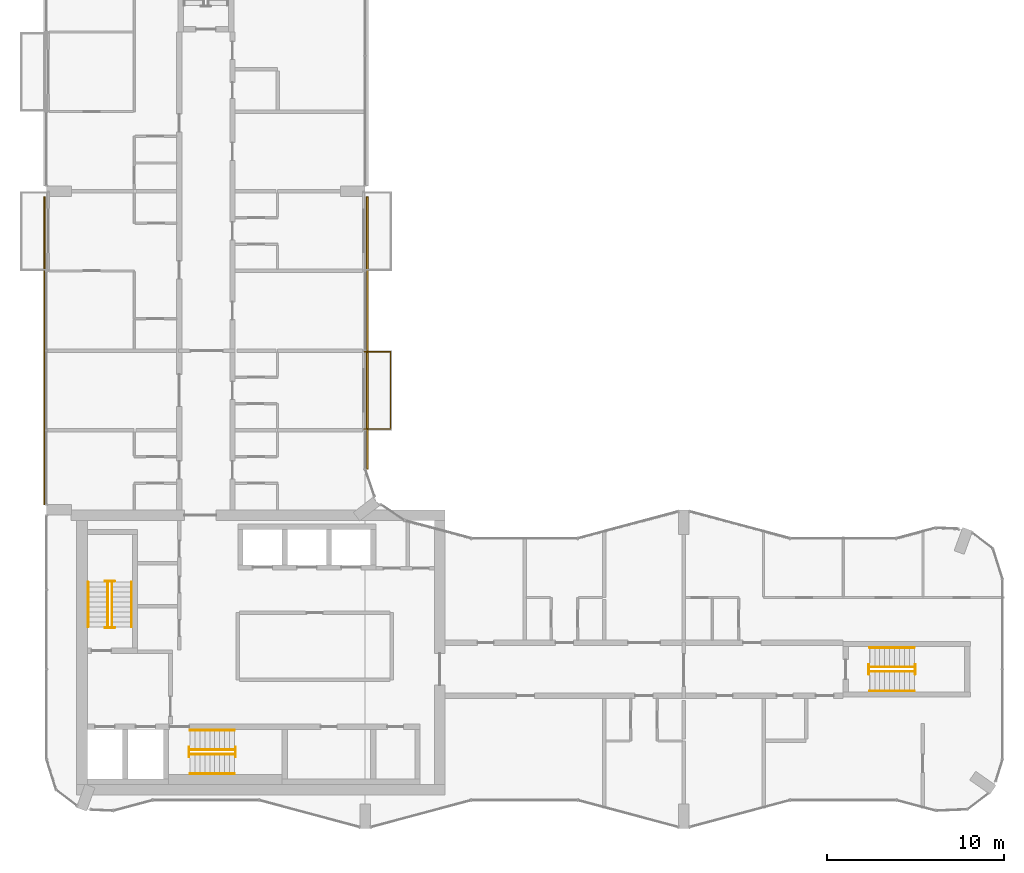
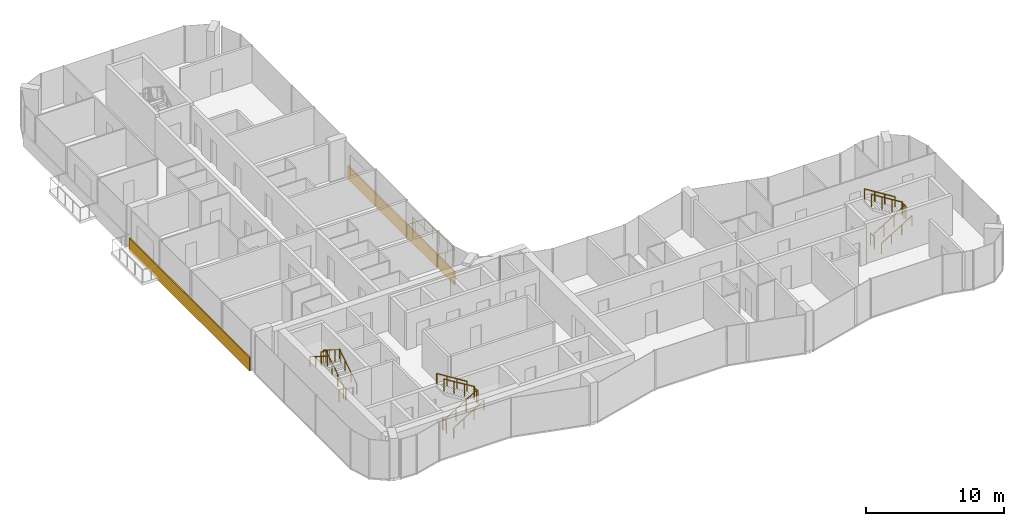
# One storey, part 14 of 15: 19 railings, 2 coverings.
"""IFC4 building model written with IfcOpenShell, lengths in metres."""

from ifc_helpers import new_model, si_unit, direction, frame, origin, origin_2d, place, context, subcontext, project, spatial, rectangle, circle, extrude, material, layer, layer_set, type_object, element, save


model = new_model("IFC4")

# Units and contexts
model_context = context("Model", 3, precision=1e-05, world=origin(), true_north=direction((0.0, 1.0)))
body_context = subcontext(model_context, "Body", "Model", "MODEL_VIEW")
ifc_project = project(units=[si_unit("LENGTHUNIT", "METRE"), si_unit("AREAUNIT", "SQUARE_METRE"), si_unit("VOLUMEUNIT", "CUBIC_METRE"), si_unit("PLANEANGLEUNIT", "RADIAN"), si_unit("MASSUNIT", "GRAM", prefix="KILO")], contexts=[model_context])

# Site, building, storey
site_placement = place(None, origin())
site = spatial("IfcSite", under=ifc_project, at=site_placement, CompositionType="ELEMENT")
building_placement = place(site_placement, origin())
building = spatial("IfcBuilding", under=site, at=building_placement, Name="Plateau Cross Towers", CompositionType="ELEMENT")
storey_placement = place(building_placement, frame((0.0, 0.0, 174.39990234375)))
storey = spatial("IfcBuildingStorey", under=building, at=storey_placement, Name="L45", CompositionType="ELEMENT", Elevation=174.39990234375)

# Railings
ifc_material_1 = material(Name="Stainless steel and toughened glass", Category="steel")
railing_type_1 = type_object("IfcRailingType", Name="Glass balustrade guard 1100", PredefinedType="GUARDRAIL", material=ifc_material_1)
railing_1_placement = place(storey_placement, frame((17.949951171875, 26.929931640625, 0.0)))
element("IfcRailing", 1, at=railing_1_placement, inside=storey, type_object=railing_type_1, Name="Guard guard1", PredefinedType="GUARDRAIL", context=body_context, shape_type="SweptSolid", body=[
    extrude(circle(Radius=0.02392578125, at=origin_2d()), frame((0.0, 0.0, 1.076171875), z_axis=(1.0, 0.0, 0.0), x_axis=(0.0, 1.0, 0.0)), (0.0, 0.0, 1.0), 1.47998046875),
    extrude(circle(Radius=0.02392578125, at=origin_2d()), frame((1.47998046875, 0.0, 1.076171875), z_axis=(0.0, -1.0, 0.0), x_axis=(1.0, 0.0, 0.0)), (0.0, 0.0, 1.0), 4.35986328125),
    extrude(circle(Radius=0.02392578125, at=origin_2d()), frame((1.47998046875, -4.35986328125, 1.076171875), z_axis=(-1.0, 0.0, 0.0), x_axis=(0.0, -1.0, 0.0)), (0.0, 0.0, 1.0), 1.47998046875),
    extrude(circle(Radius=0.02099609375, at=origin_2d()), origin(), (0.0, 0.0, 1.0), 1.052001953125),
    extrude(circle(Radius=0.02099609375, at=origin_2d()), frame((0.739990234375, 0.0, 0.0)), (0.0, 0.0, 1.0), 1.052001953125),
    extrude(circle(Radius=0.02099609375, at=origin_2d()), frame((1.47998046875, 0.0, 0.0)), (0.0, 0.0, 1.0), 1.052001953125),
    extrude(circle(Radius=0.02099609375, at=origin_2d()), frame((1.47998046875, -1.08984375, 0.0)), (0.0, 0.0, 1.0), 1.052001953125),
    extrude(circle(Radius=0.02099609375, at=origin_2d()), frame((1.47998046875, -2.179931640625, 0.0)), (0.0, 0.0, 1.0), 1.052001953125),
    extrude(circle(Radius=0.02099609375, at=origin_2d()), frame((1.47998046875, -3.27001953125, 0.0)), (0.0, 0.0, 1.0), 1.052001953125),
    extrude(circle(Radius=0.02099609375, at=origin_2d()), frame((1.47998046875, -4.35986328125, 0.0)), (0.0, 0.0, 1.0), 1.052001953125),
    extrude(circle(Radius=0.02099609375, at=origin_2d()), frame((0.739990234375, -4.35986328125, 0.0)), (0.0, 0.0, 1.0), 1.052001953125),
    extrude(circle(Radius=0.02099609375, at=origin_2d()), frame((0.0, -4.35986328125, 0.0)), (0.0, 0.0, 1.0), 1.052001953125),
])
railing_type_2 = type_object("IfcRailingType", Name="RL-GUARD-1100", PredefinedType="GUARDRAIL", material=ifc_material_1)
railing_2_placement = place(storey_placement, frame((3.699951171875, 11.39990234375, 0.175048828125)))
element("IfcRailing", 2, at=railing_2_placement, inside=storey, type_object=railing_type_2, Name="L45 ST-1 stair guard 1", PredefinedType="GUARDRAIL", context=body_context, shape_type="SweptSolid", body=[
    extrude(circle(Radius=0.02392578125, at=origin_2d()), frame((0.0, 0.0, 1.076171875), z_axis=(0.0, 0.848007534815, 0.529984170421), x_axis=(-1.0, 0.0, 0.0)), (0.0, 0.0, 1.0), 2.9716796875),
    extrude(circle(Radius=0.02099609375, at=origin_2d()), origin(), (0.0, 0.0, 1.0), 1.052001953125),
    extrude(circle(Radius=0.02099609375, at=origin_2d()), frame((0.0, 0.840087890625, 0.52490234375)), (0.0, 0.0, 1.0), 1.052001953125),
    extrude(circle(Radius=0.02099609375, at=origin_2d()), frame((0.0, 1.679931640625, 1.050048828125)), (0.0, 0.0, 1.0), 1.052001953125),
    extrude(circle(Radius=0.02099609375, at=origin_2d()), frame((0.0, 2.52001953125, 1.574951171875)), (0.0, 0.0, 1.0), 1.052001953125),
])
railing_3_placement = place(storey_placement, frame((3.85009765625, 13.969970703125, 1.75)))
element("IfcRailing", 3, at=railing_3_placement, inside=storey, type_object=railing_type_2, Name="L45 ST-1 stair guard 2", PredefinedType="GUARDRAIL", context=body_context, shape_type="SweptSolid", body=[
    extrude(circle(Radius=0.02392578125, at=origin_2d()), frame((0.0, 0.0, 1.076171875), z_axis=(-1.0, 0.0, 0.0), x_axis=(0.0, -1.0, 0.0)), (0.0, 0.0, 1.0), 0.550048828125),
    extrude(circle(Radius=0.02099609375, at=origin_2d()), origin(), (0.0, 0.0, 1.0), 1.052001953125),
    extrude(circle(Radius=0.02099609375, at=origin_2d()), frame((-0.550048828125, 0.0, 0.0)), (0.0, 0.0, 1.0), 1.052001953125),
])
railing_4_placement = place(storey_placement, frame((3.449951171875, 13.919921875, 1.925048828125)))
element("IfcRailing", 4, at=railing_4_placement, inside=storey, type_object=railing_type_2, Name="L45 ST-1 stair guard 3", PredefinedType="GUARDRAIL", context=body_context, shape_type="SweptSolid", body=[
    extrude(circle(Radius=0.02392578125, at=origin_2d()), frame((0.0, 0.0, 1.076171875), z_axis=(0.0, -0.852616386126, 0.522537365276), x_axis=(1.0, 0.0, 0.0)), (0.0, 0.0, 1.0), 3.01416015625),
    extrude(circle(Radius=0.02099609375, at=origin_2d()), origin(), (0.0, 0.0, 1.0), 1.052001953125),
    extrude(circle(Radius=0.02099609375, at=origin_2d()), frame((0.0, -0.856689453125, 0.52490234375)), (0.0, 0.0, 1.0), 1.052001953125),
    extrude(circle(Radius=0.02099609375, at=origin_2d()), frame((0.0, -1.713134765625, 1.050048828125)), (0.0, 0.0, 1.0), 1.052001953125),
    extrude(circle(Radius=0.02099609375, at=origin_2d()), frame((0.0, -2.56982421875, 1.574951171875)), (0.0, 0.0, 1.0), 1.052001953125),
])
railing_5_placement = place(storey_placement, frame((3.85009765625, 11.35009765625, 0.0)))
element("IfcRailing", 5, at=railing_5_placement, inside=storey, type_object=railing_type_2, Name="L45 ST-1 stair guard 4", PredefinedType="GUARDRAIL", context=body_context, shape_type="SweptSolid", body=[
    extrude(circle(Radius=0.02392578125, at=origin_2d()), frame((0.0, 0.0, 1.076171875), z_axis=(-1.0, 0.0, 0.0), x_axis=(0.0, -1.0, 0.0)), (0.0, 0.0, 1.0), 0.550048828125),
    extrude(circle(Radius=0.02099609375, at=origin_2d()), origin(), (0.0, 0.0, 1.0), 1.052001953125),
    extrude(circle(Radius=0.02099609375, at=origin_2d()), frame((-0.550048828125, 0.0, 0.0)), (0.0, 0.0, 1.0), 1.052001953125),
])
railing_6_placement = place(storey_placement, frame((8.10009765625, 4.199951171875, 0.175048828125)))
element("IfcRailing", 6, at=railing_6_placement, inside=storey, type_object=railing_type_2, Name="L45 ST-2 stair guard 1", PredefinedType="GUARDRAIL", context=body_context, shape_type="SweptSolid", body=[
    extrude(circle(Radius=0.02392578125, at=origin_2d()), frame((0.0, 0.0, 1.076171875), z_axis=(0.848007534815, 0.0, 0.529984170421), x_axis=(0.0, 1.0, 0.0)), (0.0, 0.0, 1.0), 2.9716796875),
    extrude(circle(Radius=0.02099609375, at=origin_2d()), origin(), (0.0, 0.0, 1.0), 1.052001953125),
    extrude(circle(Radius=0.02099609375, at=origin_2d()), frame((0.840087890625, 0.0, 0.52490234375)), (0.0, 0.0, 1.0), 1.052001953125),
    extrude(circle(Radius=0.02099609375, at=origin_2d()), frame((1.679931640625, 0.0, 1.050048828125)), (0.0, 0.0, 1.0), 1.052001953125),
    extrude(circle(Radius=0.02099609375, at=origin_2d()), frame((2.52001953125, 0.0, 1.574951171875)), (0.0, 0.0, 1.0), 1.052001953125),
])
railing_7_placement = place(storey_placement, frame((10.669921875, 4.050048828125, 1.75)))
element("IfcRailing", 7, at=railing_7_placement, inside=storey, type_object=railing_type_2, Name="L45 ST-2 stair guard 2", PredefinedType="GUARDRAIL", context=body_context, shape_type="SweptSolid", body=[
    extrude(circle(Radius=0.02392578125, at=origin_2d()), frame((0.0, 0.0, 1.076171875), z_axis=(0.0, 1.0, 0.0), x_axis=(-1.0, 0.0, 0.0)), (0.0, 0.0, 1.0), 0.550048828125),
    extrude(circle(Radius=0.02099609375, at=origin_2d()), origin(), (0.0, 0.0, 1.0), 1.052001953125),
    extrude(circle(Radius=0.02099609375, at=origin_2d()), frame((0.0, 0.550048828125, 0.0)), (0.0, 0.0, 1.0), 1.052001953125),
])
railing_8_placement = place(storey_placement, frame((10.6201171875, 4.449951171875, 1.925048828125)))
element("IfcRailing", 8, at=railing_8_placement, inside=storey, type_object=railing_type_2, Name="L45 ST-2 stair guard 3", PredefinedType="GUARDRAIL", context=body_context, shape_type="SweptSolid", body=[
    extrude(circle(Radius=0.02392578125, at=origin_2d()), frame((0.0, 0.0, 1.076171875), z_axis=(-0.852638500773, 0.0, 0.522501279423), x_axis=(0.0, -1.0, 0.0)), (0.0, 0.0, 1.0), 3.01416015625),
    extrude(circle(Radius=0.02099609375, at=origin_2d()), origin(), (0.0, 0.0, 1.0), 1.052001953125),
    extrude(circle(Radius=0.02099609375, at=origin_2d()), frame((-0.856689453125, 0.0, 0.52490234375)), (0.0, 0.0, 1.0), 1.052001953125),
    extrude(circle(Radius=0.02099609375, at=origin_2d()), frame((-1.71337890625, 0.0, 1.050048828125)), (0.0, 0.0, 1.0), 1.052001953125),
    extrude(circle(Radius=0.02099609375, at=origin_2d()), frame((-2.570068359375, 0.0, 1.574951171875)), (0.0, 0.0, 1.0), 1.052001953125),
])
railing_9_placement = place(storey_placement, frame((8.050048828125, 4.050048828125, 0.0)))
element("IfcRailing", 9, at=railing_9_placement, inside=storey, type_object=railing_type_2, Name="L45 ST-2 stair guard 4", PredefinedType="GUARDRAIL", context=body_context, shape_type="SweptSolid", body=[
    extrude(circle(Radius=0.02392578125, at=origin_2d()), frame((0.0, 0.0, 1.076171875), z_axis=(0.0, 1.0, 0.0), x_axis=(-1.0, 0.0, 0.0)), (0.0, 0.0, 1.0), 0.550048828125),
    extrude(circle(Radius=0.02099609375, at=origin_2d()), origin(), (0.0, 0.0, 1.0), 1.052001953125),
    extrude(circle(Radius=0.02099609375, at=origin_2d()), frame((0.0, 0.550048828125, 0.0)), (0.0, 0.0, 1.0), 1.052001953125),
])
railing_10_placement = place(storey_placement, frame((46.5, 8.875, 0.175048828125)))
element("IfcRailing", 10, at=railing_10_placement, inside=storey, type_object=railing_type_2, Name="L45 ES-E stair guard 1", PredefinedType="GUARDRAIL", context=body_context, shape_type="SweptSolid", body=[
    extrude(circle(Radius=0.02392578125, at=origin_2d()), frame((0.0, 0.0, 1.076171875), z_axis=(0.848007534815, 0.0, 0.529984170421), x_axis=(0.0, 1.0, 0.0)), (0.0, 0.0, 1.0), 2.9716796875),
    extrude(circle(Radius=0.02099609375, at=origin_2d()), origin(), (0.0, 0.0, 1.0), 1.052001953125),
    extrude(circle(Radius=0.02099609375, at=origin_2d()), frame((0.840087890625, 0.0, 0.52490234375)), (0.0, 0.0, 1.0), 1.052001953125),
    extrude(circle(Radius=0.02099609375, at=origin_2d()), frame((1.679931640625, 0.0, 1.050048828125)), (0.0, 0.0, 1.0), 1.052001953125),
    extrude(circle(Radius=0.02099609375, at=origin_2d()), frame((2.52001953125, 0.0, 1.574951171875)), (0.0, 0.0, 1.0), 1.052001953125),
])
railing_11_placement = place(storey_placement, frame((49.070068359375, 8.72509765625, 1.75)))
element("IfcRailing", 11, at=railing_11_placement, inside=storey, type_object=railing_type_2, Name="L45 ES-E stair guard 2", PredefinedType="GUARDRAIL", context=body_context, shape_type="SweptSolid", body=[
    extrude(circle(Radius=0.02392578125, at=origin_2d()), frame((0.0, 0.0, 1.076171875), z_axis=(0.0, 1.0, 0.0), x_axis=(-1.0, 0.0, 0.0)), (0.0, 0.0, 1.0), 0.5498046875),
    extrude(circle(Radius=0.02099609375, at=origin_2d()), origin(), (0.0, 0.0, 1.0), 1.052001953125),
    extrude(circle(Radius=0.02099609375, at=origin_2d()), frame((0.0, 0.5498046875, 0.0)), (0.0, 0.0, 1.0), 1.052001953125),
])
railing_12_placement = place(storey_placement, frame((49.02001953125, 9.125, 1.925048828125)))
element("IfcRailing", 12, at=railing_12_placement, inside=storey, type_object=railing_type_2, Name="L45 ES-E stair guard 3", PredefinedType="GUARDRAIL", context=body_context, shape_type="SweptSolid", body=[
    extrude(circle(Radius=0.02392578125, at=origin_2d()), frame((0.0, 0.0, 1.076171875), z_axis=(-0.852638500773, 0.0, 0.522501279423), x_axis=(0.0, -1.0, 0.0)), (0.0, 0.0, 1.0), 3.01416015625),
    extrude(circle(Radius=0.02099609375, at=origin_2d()), origin(), (0.0, 0.0, 1.0), 1.052001953125),
    extrude(circle(Radius=0.02099609375, at=origin_2d()), frame((-0.856689453125, 0.0, 0.52490234375)), (0.0, 0.0, 1.0), 1.052001953125),
    extrude(circle(Radius=0.02099609375, at=origin_2d()), frame((-1.71337890625, 0.0, 1.050048828125)), (0.0, 0.0, 1.0), 1.052001953125),
    extrude(circle(Radius=0.02099609375, at=origin_2d()), frame((-2.570068359375, 0.0, 1.574951171875)), (0.0, 0.0, 1.0), 1.052001953125),
])
railing_13_placement = place(storey_placement, frame((46.449951171875, 8.72509765625, 0.0)))
element("IfcRailing", 13, at=railing_13_placement, inside=storey, type_object=railing_type_2, Name="L45 ES-E stair guard 4", PredefinedType="GUARDRAIL", context=body_context, shape_type="SweptSolid", body=[
    extrude(circle(Radius=0.02392578125, at=origin_2d()), frame((0.0, 0.0, 1.076171875), z_axis=(0.0, 1.0, 0.0), x_axis=(-1.0, 0.0, 0.0)), (0.0, 0.0, 1.0), 0.5498046875),
    extrude(circle(Radius=0.02099609375, at=origin_2d()), origin(), (0.0, 0.0, 1.0), 1.052001953125),
    extrude(circle(Radius=0.02099609375, at=origin_2d()), frame((0.0, 0.5498046875, 0.0)), (0.0, 0.0, 1.0), 1.052001953125),
])
ifc_material_2 = material(Name="Black anodised aluminium", Category="aluminium")
railing_type_3 = type_object("IfcRailingType", Name="RL-HANDRAIL-900", PredefinedType="HANDRAIL", material=ifc_material_2)
railing_14_placement = place(storey_placement, frame((4.800048828125, 11.39990234375, 0.175048828125)))
element("IfcRailing", 14, at=railing_14_placement, inside=storey, type_object=railing_type_3, Name="L45 ST-1 stair handrail 1", PredefinedType="HANDRAIL", context=body_context, shape_type="SweptSolid", body=[
    extrude(circle(Radius=0.02392578125, at=origin_2d()), frame((0.0, 0.0, 0.8759765625), z_axis=(0.0, 0.848007534815, 0.529984170421), x_axis=(-1.0, 0.0, 0.0)), (0.0, 0.0, 1.0), 2.9716796875),
    extrude(circle(Radius=0.02099609375, at=origin_2d()), origin(), (0.0, 0.0, 1.0), 0.851806640625),
    extrude(circle(Radius=0.02099609375, at=origin_2d()), frame((0.0, 0.840087890625, 0.52490234375)), (0.0, 0.0, 1.0), 0.851806640625),
    extrude(circle(Radius=0.02099609375, at=origin_2d()), frame((0.0, 1.679931640625, 1.050048828125)), (0.0, 0.0, 1.0), 0.851806640625),
    extrude(circle(Radius=0.02099609375, at=origin_2d()), frame((0.0, 2.52001953125, 1.574951171875)), (0.0, 0.0, 1.0), 0.851806640625),
])
railing_15_placement = place(storey_placement, frame((2.35009765625, 13.919921875, 1.925048828125)))
element("IfcRailing", 15, at=railing_15_placement, inside=storey, type_object=railing_type_3, Name="L45 ST-1 stair handrail 2", PredefinedType="HANDRAIL", context=body_context, shape_type="SweptSolid", body=[
    extrude(circle(Radius=0.02392578125, at=origin_2d()), frame((0.0, 0.0, 0.8759765625), z_axis=(0.0, -0.848007534815, 0.529984170421), x_axis=(1.0, 0.0, 0.0)), (0.0, 0.0, 1.0), 2.9716796875),
    extrude(circle(Radius=0.02099609375, at=origin_2d()), origin(), (0.0, 0.0, 1.0), 0.851806640625),
    extrude(circle(Radius=0.02099609375, at=origin_2d()), frame((0.0, -0.840087890625, 0.52490234375)), (0.0, 0.0, 1.0), 0.851806640625),
    extrude(circle(Radius=0.02099609375, at=origin_2d()), frame((0.0, -1.679931640625, 1.050048828125)), (0.0, 0.0, 1.0), 0.851806640625),
    extrude(circle(Radius=0.02099609375, at=origin_2d()), frame((0.0, -2.52001953125, 1.574951171875)), (0.0, 0.0, 1.0), 0.851806640625),
])
railing_16_placement = place(storey_placement, frame((8.10009765625, 3.10009765625, 0.175048828125)))
element("IfcRailing", 16, at=railing_16_placement, inside=storey, type_object=railing_type_3, Name="L45 ST-2 stair handrail 1", PredefinedType="HANDRAIL", context=body_context, shape_type="SweptSolid", body=[
    extrude(circle(Radius=0.02392578125, at=origin_2d()), frame((0.0, 0.0, 0.8759765625), z_axis=(0.848007534815, 0.0, 0.529984170421), x_axis=(0.0, 1.0, 0.0)), (0.0, 0.0, 1.0), 2.9716796875),
    extrude(circle(Radius=0.02099609375, at=origin_2d()), origin(), (0.0, 0.0, 1.0), 0.851806640625),
    extrude(circle(Radius=0.02099609375, at=origin_2d()), frame((0.840087890625, 0.0, 0.52490234375)), (0.0, 0.0, 1.0), 0.851806640625),
    extrude(circle(Radius=0.02099609375, at=origin_2d()), frame((1.679931640625, 0.0, 1.050048828125)), (0.0, 0.0, 1.0), 0.851806640625),
    extrude(circle(Radius=0.02099609375, at=origin_2d()), frame((2.52001953125, 0.0, 1.574951171875)), (0.0, 0.0, 1.0), 0.851806640625),
])
railing_17_placement = place(storey_placement, frame((10.6201171875, 5.550048828125, 1.925048828125)))
element("IfcRailing", 17, at=railing_17_placement, inside=storey, type_object=railing_type_3, Name="L45 ST-2 stair handrail 2", PredefinedType="HANDRAIL", context=body_context, shape_type="SweptSolid", body=[
    extrude(circle(Radius=0.02392578125, at=origin_2d()), frame((0.0, 0.0, 0.8759765625), z_axis=(-0.848007534815, 0.0, 0.529984170421), x_axis=(0.0, -1.0, 0.0)), (0.0, 0.0, 1.0), 2.9716796875),
    extrude(circle(Radius=0.02099609375, at=origin_2d()), origin(), (0.0, 0.0, 1.0), 0.851806640625),
    extrude(circle(Radius=0.02099609375, at=origin_2d()), frame((-0.840087890625, 0.0, 0.52490234375)), (0.0, 0.0, 1.0), 0.851806640625),
    extrude(circle(Radius=0.02099609375, at=origin_2d()), frame((-1.679931640625, 0.0, 1.050048828125)), (0.0, 0.0, 1.0), 0.851806640625),
    extrude(circle(Radius=0.02099609375, at=origin_2d()), frame((-2.52001953125, 0.0, 1.574951171875)), (0.0, 0.0, 1.0), 0.851806640625),
])
railing_18_placement = place(storey_placement, frame((46.5, 7.77490234375, 0.175048828125)))
element("IfcRailing", 18, at=railing_18_placement, inside=storey, type_object=railing_type_3, Name="L45 ES-E stair handrail 1", PredefinedType="HANDRAIL", context=body_context, shape_type="SweptSolid", body=[
    extrude(circle(Radius=0.02392578125, at=origin_2d()), frame((0.0, 0.0, 0.8759765625), z_axis=(0.848007534815, 0.0, 0.529984170421), x_axis=(0.0, 1.0, 0.0)), (0.0, 0.0, 1.0), 2.9716796875),
    extrude(circle(Radius=0.02099609375, at=origin_2d()), origin(), (0.0, 0.0, 1.0), 0.851806640625),
    extrude(circle(Radius=0.02099609375, at=origin_2d()), frame((0.840087890625, 0.0, 0.52490234375)), (0.0, 0.0, 1.0), 0.851806640625),
    extrude(circle(Radius=0.02099609375, at=origin_2d()), frame((1.679931640625, 0.0, 1.050048828125)), (0.0, 0.0, 1.0), 0.851806640625),
    extrude(circle(Radius=0.02099609375, at=origin_2d()), frame((2.52001953125, 0.0, 1.574951171875)), (0.0, 0.0, 1.0), 0.851806640625),
])
railing_19_placement = place(storey_placement, frame((49.02001953125, 10.22509765625, 1.925048828125)))
element("IfcRailing", 19, at=railing_19_placement, inside=storey, type_object=railing_type_3, Name="L45 ES-E stair handrail 2", PredefinedType="HANDRAIL", context=body_context, shape_type="SweptSolid", body=[
    extrude(circle(Radius=0.02392578125, at=origin_2d()), frame((0.0, 0.0, 0.8759765625), z_axis=(-0.848007534815, 0.0, 0.529984170421), x_axis=(0.0, -1.0, 0.0)), (0.0, 0.0, 1.0), 2.9716796875),
    extrude(circle(Radius=0.02099609375, at=origin_2d()), origin(), (0.0, 0.0, 1.0), 0.851806640625),
    extrude(circle(Radius=0.02099609375, at=origin_2d()), frame((-0.840087890625, 0.0, 0.52490234375)), (0.0, 0.0, 1.0), 0.851806640625),
    extrude(circle(Radius=0.02099609375, at=origin_2d()), frame((-1.679931640625, 0.0, 1.050048828125)), (0.0, 0.0, 1.0), 0.851806640625),
    extrude(circle(Radius=0.02099609375, at=origin_2d()), frame((-2.52001953125, 0.0, 1.574951171875)), (0.0, 0.0, 1.0), 0.851806640625),
])

# Coverings
ifc_material_3 = material(Name="Precast concrete cladding C40/50", Category="concrete")
ifc_layer = layer(ifc_material_3, 0.10009765625)
ifc_layer_set = layer_set([ifc_layer], Name="Precast concrete cladding C40/50")
covering_type = type_object("IfcCoveringType", Name="Spandrel band cladding 100x1200", PredefinedType="CLADDING", material=ifc_layer_set)
covering_1_placement = place(storey_placement, frame((18.1201171875, 28.001220703125, -0.25), z_axis=(0.0, 0.0, 1.0), x_axis=(0.0, 1.0, 0.0)))
element("IfcCovering", 20, at=covering_1_placement, inside=storey, type_object=covering_type, Name="Spandrel band", PredefinedType="CLADDING", context=body_context, shape_type="SweptSolid", body=[
    extrude(rectangle(XDim=15.397705078125, YDim=0.10009765625, at=origin_2d()), origin(), (0.0, 0.0, 1.0), 1.199951171875),
])
covering_2_placement = place(storey_placement, frame((-0.1201171875, 27.0, -0.25), z_axis=(0.0, 0.0, 1.0), x_axis=(0.0, -1.0, 0.0)))
element("IfcCovering", 21, at=covering_2_placement, inside=storey, type_object=covering_type, Name="Spandrel band", PredefinedType="CLADDING", context=body_context, shape_type="SweptSolid", body=[
    extrude(rectangle(XDim=17.39990234375, YDim=0.10009765625, at=origin_2d()), origin(), (0.0, 0.0, 1.0), 1.199951171875),
])

save(model, "model.ifc")
